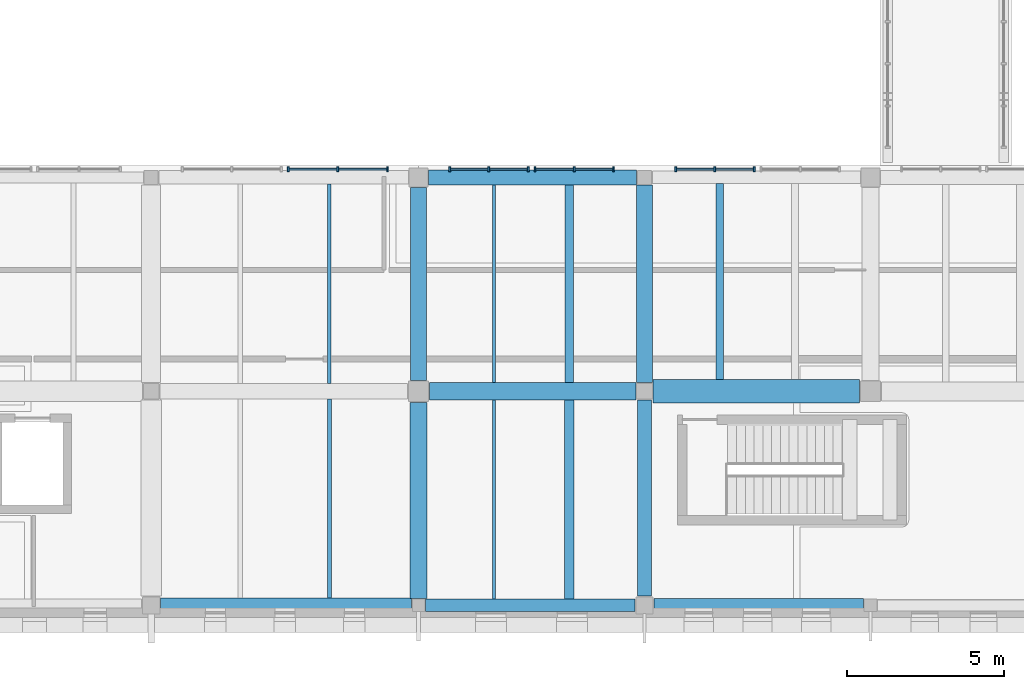
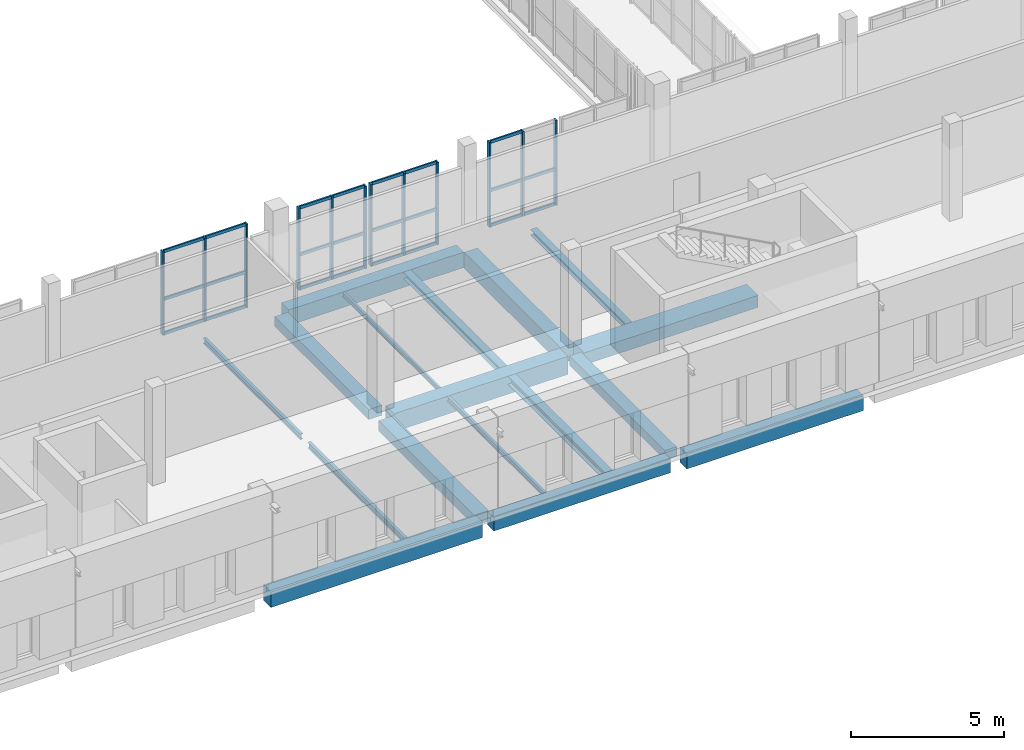
# One storey, part 29 of 76: 35 members, 17 beams, 4 elements without a shape of their own.
"""IFC4 building model written with IfcOpenShell, lengths in metres."""

from ifc_helpers import new_model, si_unit, direction, frame, origin, origin_2d, place, context, subcontext, project, spatial, rectangle, i_section, extrude, material, layer, layer_set, material_profile, profile_set, type_object, element, aggregate, save


model = new_model("IFC4")

# Units and contexts
model_context = context("Model", 3, precision=1e-05, world=origin(), true_north=direction((0.0, 1.0)))
body_context = subcontext(model_context, "Body", "Model", "MODEL_VIEW")
ifc_project = project(units=[si_unit("LENGTHUNIT", "METRE"), si_unit("AREAUNIT", "SQUARE_METRE"), si_unit("VOLUMEUNIT", "CUBIC_METRE"), si_unit("PLANEANGLEUNIT", "RADIAN"), si_unit("MASSUNIT", "GRAM", prefix="KILO")], contexts=[model_context])

# Site, building, storey
site_placement = place(None, origin())
site = spatial("IfcSite", under=ifc_project, at=site_placement, CompositionType="ELEMENT")
building_placement = place(site_placement, origin())
building = spatial("IfcBuilding", under=site, at=building_placement, Name="Vardoun Plaza Health Centre", CompositionType="ELEMENT")
storey_placement = place(building_placement, frame((0.0, 0.0, 4.5)))
storey = spatial("IfcBuildingStorey", under=building, at=storey_placement, Name="L01", CompositionType="ELEMENT", Elevation=4.5)

# Beams
ifc_material_1 = material(Name="Concrete C35/45", Category="concrete")
ifc_material_profile_1 = material_profile(ifc_material_1, rectangle(XDim=0.39990234375, YDim=0.550048828125, at=origin_2d()), Name="RC-BM 400x550")
ifc_profile_set_1 = profile_set([ifc_material_profile_1], Name="Concrete C35/45")
beam_type_1 = type_object("IfcBeamType", Name="B-09", PredefinedType="SPANDREL", material=ifc_profile_set_1)
beam_1_placement = place(storey_placement, frame((136.72509765625, 4.8798828125, -0.570068359375), z_axis=(1.0, 0.0, 0.0), x_axis=(0.0, 1.0, 0.0)))
element("IfcBeam", 1, at=beam_1_placement, inside=storey, type_object=beam_type_1, Name="V5 L01 Beam B-V5-L01-X13", PredefinedType="SPANDREL", context=body_context, shape_type="SweptSolid", body=[
    extrude(rectangle(XDim=0.39990234375, YDim=0.550048828125, at=origin_2d()), origin(), (0.0, 0.0, 1.0), 6.6748046875),
])
ifc_material_2 = material(Name="Concrete C35/45", Category="concrete")
ifc_material_profile_2 = material_profile(ifc_material_2, rectangle(XDim=0.449951171875, YDim=0.3798828125, at=origin_2d()), Name="RC-BM 450x380")
ifc_profile_set_2 = profile_set([ifc_material_profile_2], Name="Concrete C35/45")
beam_type_2 = type_object("IfcBeamType", Name="B-01", PredefinedType="BEAM", material=ifc_profile_set_2)
beam_2_placement = place(storey_placement, frame((143.699951171875, 5.179931640625, -0.485107421875), z_axis=(0.0, 1.0, 0.0), x_axis=(-1.0, 0.0, 0.0)))
element("IfcBeam", 2, at=beam_2_placement, inside=storey, type_object=beam_type_2, Name="V5 L01 Beam B-V5-L01-Y34", PredefinedType="BEAM", context=body_context, shape_type="SweptSolid", body=[
    extrude(rectangle(XDim=0.449951171875, YDim=0.3798828125, at=origin_2d()), origin(), (0.0, 0.0, 1.0), 6.2451171875),
])
ifc_material_3 = material(Name="Concrete C35/45", Category="concrete")
ifc_material_profile_3 = material_profile(ifc_material_3, rectangle(XDim=0.449951171875, YDim=0.60009765625, at=origin_2d()), Name="RC-BM 450x600")
ifc_profile_set_3 = profile_set([ifc_material_profile_3], Name="Concrete C35/45")
beam_type_3 = type_object("IfcBeamType", Name="B-11", PredefinedType="SPANDREL", material=ifc_profile_set_3)
beam_3_placement = place(storey_placement, frame((144.0, 4.8798828125, -0.594970703125), z_axis=(1.0, 0.0, 0.0), x_axis=(0.0, 1.0, 0.0)))
element("IfcBeam", 3, at=beam_3_placement, inside=storey, type_object=beam_type_3, Name="V5 L01 Beam B-V5-L01-X16", PredefinedType="SPANDREL", context=body_context, shape_type="SweptSolid", body=[
    extrude(rectangle(XDim=0.449951171875, YDim=0.60009765625, at=origin_2d()), origin(), (0.0, 0.0, 1.0), 6.675048828125),
])
ifc_material_4 = material(Name="Concrete C35/45", Category="concrete")
ifc_material_profile_4 = material_profile(ifc_material_4, rectangle(XDim=0.47998046875, YDim=0.6201171875, at=origin_2d()), Name="RC-BM 480x620")
ifc_profile_set_4 = profile_set([ifc_material_profile_4], Name="Concrete C35/45")
beam_type_4 = type_object("IfcBeamType", Name="B-12", PredefinedType="SPANDREL", material=ifc_profile_set_4)
beam_4_placement = place(storey_placement, frame((128.280029296875, 4.8798828125, -0.60498046875), z_axis=(1.0, 0.0, 0.0), x_axis=(0.0, 1.0, 0.0)))
element("IfcBeam", 4, at=beam_4_placement, inside=storey, type_object=beam_type_4, Name="V5 L01 Beam B-V5-L01-X10", PredefinedType="SPANDREL", context=body_context, shape_type="SweptSolid", body=[
    extrude(rectangle(XDim=0.47998046875, YDim=0.6201171875, at=origin_2d()), origin(), (0.0, 0.0, 1.0), 7.994873046875),
])
beam_5_placement = place(storey_placement, frame((136.824951171875, 18.52001953125, -0.60498046875), z_axis=(1.0, 0.0, 0.0), x_axis=(0.0, 1.0, 0.0)))
element("IfcBeam", 5, at=beam_5_placement, inside=storey, type_object=beam_type_4, Name="V5 L01 Beam B-V5-L01-X15", PredefinedType="SPANDREL", context=body_context, shape_type="SweptSolid", body=[
    extrude(rectangle(XDim=0.47998046875, YDim=0.6201171875, at=origin_2d()), origin(), (0.0, 0.0, 1.0), 6.625),
])
ifc_material_5 = material(Name="Concrete C35/45", Category="concrete")
ifc_material_profile_5 = material_profile(ifc_material_5, rectangle(XDim=0.5, YDim=0.39990234375, at=origin_2d()), Name="RC-BM 500x400")
ifc_profile_set_5 = profile_set([ifc_material_profile_5], Name="Concrete C35/45")
beam_type_5 = type_object("IfcBeamType", Name="B-02", PredefinedType="BEAM", material=ifc_profile_set_5)
beam_6_placement = place(storey_placement, frame((136.5, 12.050048828125, -0.4951171875), z_axis=(0.0, 1.0, 0.0), x_axis=(-1.0, 0.0, 0.0)))
element("IfcBeam", 6, at=beam_6_placement, inside=storey, type_object=beam_type_5, Name="V5 L01 Beam B-V5-L01-Y33", PredefinedType="BEAM", context=body_context, shape_type="SweptSolid", body=[
    extrude(rectangle(XDim=0.5, YDim=0.39990234375, at=origin_2d()), origin(), (0.0, 0.0, 1.0), 6.14501953125),
])
ifc_material_6 = material(Name="Concrete C40/50", Category="concrete")
ifc_material_profile_6 = material_profile(ifc_material_6, rectangle(XDim=0.5, YDim=0.64990234375, at=origin_2d()), Name="RC-BM 500x650")
ifc_profile_set_6 = profile_set([ifc_material_profile_6], Name="Concrete C40/50")
beam_type_6 = type_object("IfcBeamType", Name="B-13", PredefinedType="BEAM", material=ifc_profile_set_6)
beam_7_placement = place(storey_placement, frame((143.699951171875, 11.97509765625, -0.6201171875), z_axis=(0.0, 1.0, 0.0), x_axis=(-1.0, 0.0, 0.0)))
element("IfcBeam", 7, at=beam_7_placement, inside=storey, type_object=beam_type_6, Name="V5 L01 Beam B-V5-L01-Y35", PredefinedType="BEAM", context=body_context, shape_type="SweptSolid", body=[
    extrude(rectangle(XDim=0.5, YDim=0.64990234375, at=origin_2d()), origin(), (0.0, 0.0, 1.0), 6.294921875),
])
ifc_material_7 = material(Name="Concrete C35/45", Category="concrete")
ifc_material_profile_7 = material_profile(ifc_material_7, rectangle(XDim=0.550048828125, YDim=0.419921875, at=origin_2d()), Name="RC-BM 550x420")
ifc_profile_set_7 = profile_set([ifc_material_profile_7], Name="Concrete C35/45")
beam_type_7 = type_object("IfcBeamType", Name="B-03", PredefinedType="BEAM", material=ifc_profile_set_7)
beam_8_placement = place(storey_placement, frame((136.5, 5.10498046875, -0.5048828125), z_axis=(0.0, 1.0, 0.0), x_axis=(-1.0, 0.0, 0.0)))
element("IfcBeam", 8, at=beam_8_placement, inside=storey, type_object=beam_type_7, Name="V5 L01 Beam B-V5-L01-Y32", PredefinedType="BEAM", context=body_context, shape_type="SweptSolid", body=[
    extrude(rectangle(XDim=0.550048828125, YDim=0.419921875, at=origin_2d()), origin(), (0.0, 0.0, 1.0), 6.2451171875),
])
ifc_material_8 = material(Name="Concrete C40/50", Category="concrete")
ifc_material_profile_8 = material_profile(ifc_material_8, rectangle(XDim=0.550048828125, YDim=0.719970703125, at=origin_2d()), Name="RC-BM 550x720")
ifc_profile_set_8 = profile_set([ifc_material_profile_8], Name="Concrete C40/50")
beam_type_8 = type_object("IfcBeamType", Name="B-14", PredefinedType="BEAM", material=ifc_profile_set_8)
beam_9_placement = place(storey_placement, frame((136.85009765625, 11.699951171875, -0.655029296875), z_axis=(1.0, 0.0, 0.0), x_axis=(0.0, 1.0, 0.0)))
element("IfcBeam", 9, at=beam_9_placement, inside=storey, type_object=beam_type_8, Name="V5 L01 Beam B-V5-L01-X14", PredefinedType="BEAM", context=body_context, shape_type="SweptSolid", body=[
    extrude(rectangle(XDim=0.550048828125, YDim=0.719970703125, at=origin_2d()), origin(), (0.0, 0.0, 1.0), 6.574951171875),
])
ifc_material_9 = material(Name="Concrete C35/45", Category="concrete")
ifc_material_profile_9 = material_profile(ifc_material_9, rectangle(XDim=0.75, YDim=0.47998046875, at=origin_2d()), Name="RC-BM 750x480")
ifc_profile_set_9 = profile_set([ifc_material_profile_9], Name="Concrete C35/45")
beam_type_9 = type_object("IfcBeamType", Name="B-07", PredefinedType="BEAM", material=ifc_profile_set_9)
beam_10_placement = place(storey_placement, frame((143.97509765625, 11.699951171875, -0.534912109375), z_axis=(1.0, 0.0, 0.0), x_axis=(0.0, 1.0, 0.0)))
element("IfcBeam", 10, at=beam_10_placement, inside=storey, type_object=beam_type_9, Name="V5 L01 Beam B-V5-L01-X17", PredefinedType="BEAM", context=body_context, shape_type="SweptSolid", body=[
    extrude(rectangle(XDim=0.75, YDim=0.47998046875, at=origin_2d()), origin(), (0.0, 0.0, 1.0), 6.574951171875),
])
ifc_material_10 = material(Name="Steel S355J2", Category="steel")
ifc_material_profile_10 = material_profile(ifc_material_10, i_section(OverallWidth=0.239990234375, OverallDepth=0.22998046875, WebThickness=0.007568359375, FlangeThickness=0.011962890625, FilletRadius=0.02099609375, at=origin_2d()), Name="HEA 240")
ifc_profile_set_10 = profile_set([ifc_material_profile_10], Name="Steel S355J2")
beam_type_10 = type_object("IfcBeamType", Name="SB-07", PredefinedType="BEAM", material=ifc_profile_set_10)
beam_11_placement = place(storey_placement, frame((146.099853515625, 12.074951171875, -0.409912109375), z_axis=(0.0, 1.0, 0.0), x_axis=(-1.0, 0.0, 0.0)))
element("IfcBeam", 11, at=beam_11_placement, inside=storey, type_object=beam_type_10, Name="V5 L01 Secondary Floor Beam SJ-V5-L01-17", PredefinedType="BEAM", context=body_context, shape_type="SweptSolid", body=[
    extrude(i_section(OverallWidth=0.239990234375, OverallDepth=0.22998046875, WebThickness=0.007568359375, FlangeThickness=0.011962890625, FilletRadius=0.02099609375, at=origin_2d()), origin(), (0.0, 0.0, 1.0), 6.2451171875),
])
ifc_material_11 = material(Name="Steel S355J2", Category="steel")
ifc_material_profile_11 = material_profile(ifc_material_11, i_section(OverallWidth=0.280029296875, OverallDepth=0.27001953125, WebThickness=0.008056640625, FlangeThickness=0.012939453125, FilletRadius=0.02392578125, at=origin_2d()), Name="HEA 280")
ifc_profile_set_11 = profile_set([ifc_material_profile_11], Name="Steel S355J2")
beam_type_11 = type_object("IfcBeamType", Name="SB-06", PredefinedType="BEAM", material=ifc_profile_set_11)
beam_12_placement = place(storey_placement, frame((141.30029296875, 11.97509765625, -0.429931640625), z_axis=(0.0, 1.0, 0.0), x_axis=(-1.0, 0.0, 0.0)))
element("IfcBeam", 12, at=beam_12_placement, inside=storey, type_object=beam_type_11, Name="V5 L01 Secondary Floor Beam SJ-V5-L01-16", PredefinedType="BEAM", context=body_context, shape_type="SweptSolid", body=[
    extrude(i_section(OverallWidth=0.280029296875, OverallDepth=0.27001953125, WebThickness=0.008056640625, FlangeThickness=0.012939453125, FilletRadius=0.02392578125, at=origin_2d()), origin(), (0.0, 0.0, 1.0), 6.304931640625),
])
ifc_material_12 = material(Name="Steel S355J2", Category="steel")
ifc_material_profile_12 = material_profile(ifc_material_12, i_section(OverallWidth=0.300048828125, OverallDepth=0.330078125, WebThickness=0.009521484375, FlangeThickness=0.0166015625, FilletRadius=0.027099609375, at=origin_2d()), Name="HEA 340")
ifc_profile_set_12 = profile_set([ifc_material_profile_12], Name="Steel S355J2")
beam_type_12 = type_object("IfcBeamType", Name="SB-04", PredefinedType="BEAM", material=ifc_profile_set_12)
beam_13_placement = place(storey_placement, frame((141.30029296875, 5.080078125, -0.4599609375), z_axis=(0.0, 1.0, 0.0), x_axis=(-1.0, 0.0, 0.0)))
element("IfcBeam", 13, at=beam_13_placement, inside=storey, type_object=beam_type_12, Name="V5 L01 Secondary Floor Beam SJ-V5-L01-15", PredefinedType="BEAM", context=body_context, shape_type="SweptSolid", body=[
    extrude(i_section(OverallWidth=0.300048828125, OverallDepth=0.330078125, WebThickness=0.009521484375, FlangeThickness=0.0166015625, FilletRadius=0.027099609375, at=origin_2d()), origin(), (0.0, 0.0, 1.0), 6.344970703125),
])
ifc_material_13 = material(Name="Steel S355J2", Category="steel")
ifc_material_profile_13 = material_profile(ifc_material_13, i_section(OverallWidth=0.091064453125, OverallDepth=0.179931640625, WebThickness=0.00537109375, FlangeThickness=0.008056640625, FilletRadius=0.009033203125, at=origin_2d()), Name="IPE 180")
ifc_profile_set_13 = profile_set([ifc_material_profile_13], Name="Steel S355J2")
beam_type_13 = type_object("IfcBeamType", Name="SB-20", PredefinedType="SPANDREL", material=ifc_profile_set_13)
beam_14_placement = place(storey_placement, frame((138.89990234375, 11.97509765625, -0.385009765625), z_axis=(0.0, 1.0, 0.0), x_axis=(-1.0, 0.0, 0.0)))
element("IfcBeam", 14, at=beam_14_placement, inside=storey, type_object=beam_type_13, Name="V5 L01 Secondary Floor Beam SJ-V5-L01-14", PredefinedType="SPANDREL", context=body_context, shape_type="SweptSolid", body=[
    extrude(i_section(OverallWidth=0.091064453125, OverallDepth=0.179931640625, WebThickness=0.00537109375, FlangeThickness=0.008056640625, FilletRadius=0.009033203125, at=origin_2d()), origin(), (0.0, 0.0, 1.0), 6.304931640625),
])
ifc_material_14 = material(Name="Steel S355J2", Category="steel")
ifc_material_profile_14 = material_profile(ifc_material_14, i_section(OverallWidth=0.10009765625, OverallDepth=0.199951171875, WebThickness=0.005615234375, FlangeThickness=0.008544921875, FilletRadius=0.011962890625, at=origin_2d()), Name="IPE 200")
ifc_profile_set_14 = profile_set([ifc_material_profile_14], Name="Steel S355J2")
beam_type_14 = type_object("IfcBeamType", Name="SB-19", PredefinedType="SPANDREL", material=ifc_profile_set_14)
beam_15_placement = place(storey_placement, frame((138.89990234375, 5.080078125, -0.39501953125), z_axis=(0.0, 1.0, 0.0), x_axis=(-1.0, 0.0, 0.0)))
element("IfcBeam", 15, at=beam_15_placement, inside=storey, type_object=beam_type_14, Name="V5 L01 Secondary Floor Beam SJ-V5-L01-13", PredefinedType="SPANDREL", context=body_context, shape_type="SweptSolid", body=[
    extrude(i_section(OverallWidth=0.10009765625, OverallDepth=0.199951171875, WebThickness=0.005615234375, FlangeThickness=0.008544921875, FilletRadius=0.011962890625, at=origin_2d()), origin(), (0.0, 0.0, 1.0), 6.344970703125),
])
ifc_material_15 = material(Name="Steel S355J2", Category="steel")
ifc_material_profile_15 = material_profile(ifc_material_15, i_section(OverallWidth=0.110107421875, OverallDepth=0.219970703125, WebThickness=0.005859375, FlangeThickness=0.00927734375, FilletRadius=0.011962890625, at=origin_2d()), Name="IPE 220")
ifc_profile_set_15 = profile_set([ifc_material_profile_15], Name="Steel S355J2")
beam_type_15 = type_object("IfcBeamType", Name="SB-18", PredefinedType="JOIST", material=ifc_profile_set_15)
beam_16_placement = place(storey_placement, frame((133.660400390625, 11.949951171875, -0.405029296875), z_axis=(0.0, 1.0, 0.0), x_axis=(-1.0, 0.0, 0.0)))
element("IfcBeam", 16, at=beam_16_placement, inside=storey, type_object=beam_type_15, Name="V5 L01 Secondary Floor Beam SJ-V5-L01-12", PredefinedType="JOIST", context=body_context, shape_type="SweptSolid", body=[
    extrude(i_section(OverallWidth=0.110107421875, OverallDepth=0.219970703125, WebThickness=0.005859375, FlangeThickness=0.00927734375, FilletRadius=0.011962890625, at=origin_2d()), origin(), (0.0, 0.0, 1.0), 6.360107421875),
])
ifc_material_16 = material(Name="Steel S355J2", Category="steel")
ifc_material_profile_16 = material_profile(ifc_material_16, i_section(OverallWidth=0.1201171875, OverallDepth=0.239990234375, WebThickness=0.006103515625, FlangeThickness=0.009765625, FilletRadius=0.014892578125, at=origin_2d()), Name="IPE 240")
ifc_profile_set_16 = profile_set([ifc_material_profile_16], Name="Steel S355J2")
beam_type_16 = type_object("IfcBeamType", Name="SB-17", PredefinedType="JOIST", material=ifc_profile_set_16)
beam_17_placement = place(storey_placement, frame((133.660400390625, 5.1201171875, -0.4150390625), z_axis=(0.0, 1.0, 0.0), x_axis=(-1.0, 0.0, 0.0)))
element("IfcBeam", 17, at=beam_17_placement, inside=storey, type_object=beam_type_16, Name="V5 L01 Secondary Floor Beam SJ-V5-L01-11", PredefinedType="JOIST", context=body_context, shape_type="SweptSolid", body=[
    extrude(i_section(OverallWidth=0.1201171875, OverallDepth=0.239990234375, WebThickness=0.006103515625, FlangeThickness=0.009765625, FilletRadius=0.014892578125, at=origin_2d()), origin(), (0.0, 0.0, 1.0), 6.329833984375),
])

# Curtain wall, members
ifc_material_17 = material(Name="Aluminium Alloy EN AW-6063-T6 and Low-E Glass", Category="aluminium")
ifc_layer = layer(ifc_material_17, 0.14990234375)
ifc_layer_set = layer_set([ifc_layer], Name="Aluminium Alloy EN AW-6063-T6 and Low-E Glass")
curtain_wall_type = type_object("IfcCurtainWallType", Name="CW-03", PredefinedType="NOTDEFINED", material=ifc_layer_set)
curtain_wall_1_placement = place(storey_placement, origin())
curtain_wall_1 = element("IfcCurtainWall", 18, at=curtain_wall_1_placement, inside=storey, type_object=curtain_wall_type, Name="Curtain Wall CW-V5-156", PredefinedType="NOTDEFINED")
ifc_material_18 = material(Name="Aluminium Alloy EN AW-6063-T6", Category="aluminium")
ifc_material_profile_17 = material_profile(ifc_material_18, rectangle(XDim=0.159912109375, YDim=0.06005859375, at=origin_2d()), Name="CWM 60x160")
ifc_profile_set_17 = profile_set([ifc_material_profile_17], Name="Aluminium Alloy EN AW-6063-T6")
member_type_1 = type_object("IfcMemberType", Name="CW-M1", PredefinedType="MULLION", material=ifc_profile_set_17)
member_1_placement = place(storey_placement, frame((132.35009765625, 18.780029296875, 0.0), z_axis=(0.0, 0.0, 1.0), x_axis=(0.0, 1.0, 0.0)))
member_1 = element("IfcMember", 19, at=member_1_placement, type_object=member_type_1, Name="CW-V5-156 mullion 1", PredefinedType="MULLION", context=body_context, shape_type="SweptSolid", body=[
    extrude(rectangle(XDim=0.159912109375, YDim=0.06005859375, at=origin_2d()), origin(), (0.0, 0.0, 1.0), 3.340087890625),
])
member_2_placement = place(storey_placement, frame((133.929931640625, 18.780029296875, 0.0), z_axis=(0.0, 0.0, 1.0), x_axis=(0.0, 1.0, 0.0)))
member_2 = element("IfcMember", 20, at=member_2_placement, type_object=member_type_1, Name="CW-V5-156 mullion 2", PredefinedType="MULLION", context=body_context, shape_type="SweptSolid", body=[
    extrude(rectangle(XDim=0.159912109375, YDim=0.06005859375, at=origin_2d()), origin(), (0.0, 0.0, 1.0), 3.340087890625),
])
member_3_placement = place(storey_placement, frame((135.510009765625, 18.780029296875, 0.0), z_axis=(0.0, 0.0, 1.0), x_axis=(0.0, 1.0, 0.0)))
member_3 = element("IfcMember", 21, at=member_3_placement, type_object=member_type_1, Name="CW-V5-156 mullion 3", PredefinedType="MULLION", context=body_context, shape_type="SweptSolid", body=[
    extrude(rectangle(XDim=0.159912109375, YDim=0.06005859375, at=origin_2d()), origin(), (0.0, 0.0, 1.0), 3.340087890625),
])

curtain_wall_2_placement = place(storey_placement, origin())
curtain_wall_2 = element("IfcCurtainWall", 22, at=curtain_wall_2_placement, inside=storey, type_object=curtain_wall_type, Name="Curtain Wall CW-V5-157", PredefinedType="NOTDEFINED")
member_4_placement = place(storey_placement, frame((137.489990234375, 18.780029296875, 0.0), z_axis=(0.0, 0.0, 1.0), x_axis=(0.0, 1.0, 0.0)))
member_4 = element("IfcMember", 23, at=member_4_placement, type_object=member_type_1, Name="CW-V5-157 mullion 1", PredefinedType="MULLION", context=body_context, shape_type="SweptSolid", body=[
    extrude(rectangle(XDim=0.159912109375, YDim=0.06005859375, at=origin_2d()), origin(), (0.0, 0.0, 1.0), 3.2900390625),
])
member_5_placement = place(storey_placement, frame((138.739990234375, 18.780029296875, 0.0), z_axis=(0.0, 0.0, 1.0), x_axis=(0.0, 1.0, 0.0)))
member_5 = element("IfcMember", 24, at=member_5_placement, type_object=member_type_1, Name="CW-V5-157 mullion 2", PredefinedType="MULLION", context=body_context, shape_type="SweptSolid", body=[
    extrude(rectangle(XDim=0.159912109375, YDim=0.06005859375, at=origin_2d()), origin(), (0.0, 0.0, 1.0), 3.2900390625),
])
member_6_placement = place(storey_placement, frame((139.989990234375, 18.780029296875, 0.0), z_axis=(0.0, 0.0, 1.0), x_axis=(0.0, 1.0, 0.0)))
member_6 = element("IfcMember", 25, at=member_6_placement, type_object=member_type_1, Name="CW-V5-157 mullion 3", PredefinedType="MULLION", context=body_context, shape_type="SweptSolid", body=[
    extrude(rectangle(XDim=0.159912109375, YDim=0.06005859375, at=origin_2d()), origin(), (0.0, 0.0, 1.0), 3.2900390625),
])

curtain_wall_3_placement = place(storey_placement, origin())
curtain_wall_3 = element("IfcCurtainWall", 26, at=curtain_wall_3_placement, inside=storey, type_object=curtain_wall_type, Name="Curtain Wall CW-V5-158", PredefinedType="NOTDEFINED")
member_7_placement = place(storey_placement, frame((140.2099609375, 18.780029296875, 0.0), z_axis=(0.0, 0.0, 1.0), x_axis=(0.0, 1.0, 0.0)))
member_7 = element("IfcMember", 27, at=member_7_placement, type_object=member_type_1, Name="CW-V5-158 mullion 1", PredefinedType="MULLION", context=body_context, shape_type="SweptSolid", body=[
    extrude(rectangle(XDim=0.159912109375, YDim=0.06005859375, at=origin_2d()), origin(), (0.0, 0.0, 1.0), 3.2900390625),
])
member_8_placement = place(storey_placement, frame((141.4599609375, 18.780029296875, 0.0), z_axis=(0.0, 0.0, 1.0), x_axis=(0.0, 1.0, 0.0)))
member_8 = element("IfcMember", 28, at=member_8_placement, type_object=member_type_1, Name="CW-V5-158 mullion 2", PredefinedType="MULLION", context=body_context, shape_type="SweptSolid", body=[
    extrude(rectangle(XDim=0.159912109375, YDim=0.06005859375, at=origin_2d()), origin(), (0.0, 0.0, 1.0), 3.2900390625),
])
member_9_placement = place(storey_placement, frame((142.7099609375, 18.780029296875, 0.0), z_axis=(0.0, 0.0, 1.0), x_axis=(0.0, 1.0, 0.0)))
member_9 = element("IfcMember", 29, at=member_9_placement, type_object=member_type_1, Name="CW-V5-158 mullion 3", PredefinedType="MULLION", context=body_context, shape_type="SweptSolid", body=[
    extrude(rectangle(XDim=0.159912109375, YDim=0.06005859375, at=origin_2d()), origin(), (0.0, 0.0, 1.0), 3.2900390625),
])

curtain_wall_4_placement = place(storey_placement, origin())
curtain_wall_4 = element("IfcCurtainWall", 30, at=curtain_wall_4_placement, inside=storey, type_object=curtain_wall_type, Name="Curtain Wall CW-V5-159", PredefinedType="NOTDEFINED")
member_10_placement = place(storey_placement, frame((144.690185546875, 18.780029296875, 0.0), z_axis=(0.0, 0.0, 1.0), x_axis=(0.0, 1.0, 0.0)))
member_10 = element("IfcMember", 31, at=member_10_placement, type_object=member_type_1, Name="CW-V5-159 mullion 1", PredefinedType="MULLION", context=body_context, shape_type="SweptSolid", body=[
    extrude(rectangle(XDim=0.159912109375, YDim=0.06005859375, at=origin_2d()), origin(), (0.0, 0.0, 1.0), 3.389892578125),
])
member_11_placement = place(storey_placement, frame((145.940185546875, 18.780029296875, 0.0), z_axis=(0.0, 0.0, 1.0), x_axis=(0.0, 1.0, 0.0)))
member_11 = element("IfcMember", 32, at=member_11_placement, type_object=member_type_1, Name="CW-V5-159 mullion 2", PredefinedType="MULLION", context=body_context, shape_type="SweptSolid", body=[
    extrude(rectangle(XDim=0.159912109375, YDim=0.06005859375, at=origin_2d()), origin(), (0.0, 0.0, 1.0), 3.389892578125),
])
member_12_placement = place(storey_placement, frame((147.190185546875, 18.780029296875, 0.0), z_axis=(0.0, 0.0, 1.0), x_axis=(0.0, 1.0, 0.0)))
member_12 = element("IfcMember", 33, at=member_12_placement, type_object=member_type_1, Name="CW-V5-159 mullion 3", PredefinedType="MULLION", context=body_context, shape_type="SweptSolid", body=[
    extrude(rectangle(XDim=0.159912109375, YDim=0.06005859375, at=origin_2d()), origin(), (0.0, 0.0, 1.0), 3.389892578125),
])

# Member
ifc_material_19 = material(Name="Aluminium Alloy EN AW-6063-T6", Category="aluminium")
ifc_material_profile_18 = material_profile(ifc_material_19, rectangle(XDim=0.06005859375, YDim=0.1201171875, at=origin_2d()), Name="CWT 60x120")
ifc_profile_set_18 = profile_set([ifc_material_profile_18], Name="Aluminium Alloy EN AW-6063-T6")
member_type_2 = type_object("IfcMemberType", Name="CW-T1", PredefinedType="USERDEFINED", material=ifc_profile_set_18)
member_13_placement = place(storey_placement, frame((132.3798828125, 18.780029296875, 0.030029296875), z_axis=(1.0, 0.0, 0.0), x_axis=(0.0, 1.0, 0.0)))
member_13 = element("IfcMember", 34, at=member_13_placement, type_object=member_type_2, Name="CW-V5-156 transom 1.1", ObjectType="TRANSOM", PredefinedType="USERDEFINED", context=body_context, shape_type="SweptSolid", body=[
    extrude(rectangle(XDim=0.06005859375, YDim=0.1201171875, at=origin_2d()), origin(), (0.0, 0.0, 1.0), 1.52001953125),
])

member_14_placement = place(storey_placement, frame((132.3798828125, 18.780029296875, 1.40283203125), z_axis=(1.0, 0.0, 0.0), x_axis=(0.0, 1.0, 0.0)))
member_14 = element("IfcMember", 35, at=member_14_placement, type_object=member_type_2, Name="CW-V5-156 transom 1.2", ObjectType="TRANSOM", PredefinedType="USERDEFINED", context=body_context, shape_type="SweptSolid", body=[
    extrude(rectangle(XDim=0.06005859375, YDim=0.1201171875, at=origin_2d()), origin(), (0.0, 0.0, 1.0), 1.52001953125),
])

member_15_placement = place(storey_placement, frame((132.3798828125, 18.780029296875, 3.31005859375), z_axis=(1.0, 0.0, 0.0), x_axis=(0.0, 1.0, 0.0)))
member_15 = element("IfcMember", 36, at=member_15_placement, type_object=member_type_2, Name="CW-V5-156 transom 1.3", ObjectType="TRANSOM", PredefinedType="USERDEFINED", context=body_context, shape_type="SweptSolid", body=[
    extrude(rectangle(XDim=0.06005859375, YDim=0.1201171875, at=origin_2d()), origin(), (0.0, 0.0, 1.0), 1.52001953125),
])

member_16_placement = place(storey_placement, frame((133.9599609375, 18.780029296875, 0.030029296875), z_axis=(1.0, 0.0, 0.0), x_axis=(0.0, 1.0, 0.0)))
member_16 = element("IfcMember", 37, at=member_16_placement, type_object=member_type_2, Name="CW-V5-156 transom 2.1", ObjectType="TRANSOM", PredefinedType="USERDEFINED", context=body_context, shape_type="SweptSolid", body=[
    extrude(rectangle(XDim=0.06005859375, YDim=0.1201171875, at=origin_2d()), origin(), (0.0, 0.0, 1.0), 1.52001953125),
])

member_17_placement = place(storey_placement, frame((133.9599609375, 18.780029296875, 1.40283203125), z_axis=(1.0, 0.0, 0.0), x_axis=(0.0, 1.0, 0.0)))
member_17 = element("IfcMember", 38, at=member_17_placement, type_object=member_type_2, Name="CW-V5-156 transom 2.2", ObjectType="TRANSOM", PredefinedType="USERDEFINED", context=body_context, shape_type="SweptSolid", body=[
    extrude(rectangle(XDim=0.06005859375, YDim=0.1201171875, at=origin_2d()), origin(), (0.0, 0.0, 1.0), 1.52001953125),
])

member_18_placement = place(storey_placement, frame((133.9599609375, 18.780029296875, 3.31005859375), z_axis=(1.0, 0.0, 0.0), x_axis=(0.0, 1.0, 0.0)))
member_18 = element("IfcMember", 39, at=member_18_placement, type_object=member_type_2, Name="CW-V5-156 transom 2.3", ObjectType="TRANSOM", PredefinedType="USERDEFINED", context=body_context, shape_type="SweptSolid", body=[
    extrude(rectangle(XDim=0.06005859375, YDim=0.1201171875, at=origin_2d()), origin(), (0.0, 0.0, 1.0), 1.52001953125),
])

aggregate(curtain_wall_1, [member_1, member_2, member_3, member_13, member_14, member_15, member_16, member_17, member_18])

member_19_placement = place(storey_placement, frame((137.52001953125, 18.780029296875, 0.030029296875), z_axis=(1.0, 0.0, 0.0), x_axis=(0.0, 1.0, 0.0)))
member_19 = element("IfcMember", 40, at=member_19_placement, type_object=member_type_2, Name="CW-V5-157 transom 1.1", ObjectType="TRANSOM", PredefinedType="USERDEFINED", context=body_context, shape_type="SweptSolid", body=[
    extrude(rectangle(XDim=0.06005859375, YDim=0.1201171875, at=origin_2d()), origin(), (0.0, 0.0, 1.0), 1.18994140625),
])

member_20_placement = place(storey_placement, frame((137.52001953125, 18.780029296875, 1.3818359375), z_axis=(1.0, 0.0, 0.0), x_axis=(0.0, 1.0, 0.0)))
member_20 = element("IfcMember", 41, at=member_20_placement, type_object=member_type_2, Name="CW-V5-157 transom 1.2", ObjectType="TRANSOM", PredefinedType="USERDEFINED", context=body_context, shape_type="SweptSolid", body=[
    extrude(rectangle(XDim=0.06005859375, YDim=0.1201171875, at=origin_2d()), origin(), (0.0, 0.0, 1.0), 1.18994140625),
])

member_21_placement = place(storey_placement, frame((137.52001953125, 18.780029296875, 3.260009765625), z_axis=(1.0, 0.0, 0.0), x_axis=(0.0, 1.0, 0.0)))
member_21 = element("IfcMember", 42, at=member_21_placement, type_object=member_type_2, Name="CW-V5-157 transom 1.3", ObjectType="TRANSOM", PredefinedType="USERDEFINED", context=body_context, shape_type="SweptSolid", body=[
    extrude(rectangle(XDim=0.06005859375, YDim=0.1201171875, at=origin_2d()), origin(), (0.0, 0.0, 1.0), 1.18994140625),
])

member_22_placement = place(storey_placement, frame((138.77001953125, 18.780029296875, 0.030029296875), z_axis=(1.0, 0.0, 0.0), x_axis=(0.0, 1.0, 0.0)))
member_22 = element("IfcMember", 43, at=member_22_placement, type_object=member_type_2, Name="CW-V5-157 transom 2.1", ObjectType="TRANSOM", PredefinedType="USERDEFINED", context=body_context, shape_type="SweptSolid", body=[
    extrude(rectangle(XDim=0.06005859375, YDim=0.1201171875, at=origin_2d()), origin(), (0.0, 0.0, 1.0), 1.18994140625),
])

member_23_placement = place(storey_placement, frame((138.77001953125, 18.780029296875, 1.3818359375), z_axis=(1.0, 0.0, 0.0), x_axis=(0.0, 1.0, 0.0)))
member_23 = element("IfcMember", 44, at=member_23_placement, type_object=member_type_2, Name="CW-V5-157 transom 2.2", ObjectType="TRANSOM", PredefinedType="USERDEFINED", context=body_context, shape_type="SweptSolid", body=[
    extrude(rectangle(XDim=0.06005859375, YDim=0.1201171875, at=origin_2d()), origin(), (0.0, 0.0, 1.0), 1.18994140625),
])

member_24_placement = place(storey_placement, frame((138.77001953125, 18.780029296875, 3.260009765625), z_axis=(1.0, 0.0, 0.0), x_axis=(0.0, 1.0, 0.0)))
member_24 = element("IfcMember", 45, at=member_24_placement, type_object=member_type_2, Name="CW-V5-157 transom 2.3", ObjectType="TRANSOM", PredefinedType="USERDEFINED", context=body_context, shape_type="SweptSolid", body=[
    extrude(rectangle(XDim=0.06005859375, YDim=0.1201171875, at=origin_2d()), origin(), (0.0, 0.0, 1.0), 1.18994140625),
])

aggregate(curtain_wall_2, [member_4, member_5, member_6, member_19, member_20, member_21, member_22, member_23, member_24])

member_25_placement = place(storey_placement, frame((140.239990234375, 18.780029296875, 0.030029296875), z_axis=(1.0, 0.0, 0.0), x_axis=(0.0, 1.0, 0.0)))
member_25 = element("IfcMember", 46, at=member_25_placement, type_object=member_type_2, Name="CW-V5-158 transom 1.1", ObjectType="TRANSOM", PredefinedType="USERDEFINED", context=body_context, shape_type="SweptSolid", body=[
    extrude(rectangle(XDim=0.06005859375, YDim=0.1201171875, at=origin_2d()), origin(), (0.0, 0.0, 1.0), 1.18994140625),
])

member_26_placement = place(storey_placement, frame((140.239990234375, 18.780029296875, 1.3818359375), z_axis=(1.0, 0.0, 0.0), x_axis=(0.0, 1.0, 0.0)))
member_26 = element("IfcMember", 47, at=member_26_placement, type_object=member_type_2, Name="CW-V5-158 transom 1.2", ObjectType="TRANSOM", PredefinedType="USERDEFINED", context=body_context, shape_type="SweptSolid", body=[
    extrude(rectangle(XDim=0.06005859375, YDim=0.1201171875, at=origin_2d()), origin(), (0.0, 0.0, 1.0), 1.18994140625),
])

member_27_placement = place(storey_placement, frame((140.239990234375, 18.780029296875, 3.260009765625), z_axis=(1.0, 0.0, 0.0), x_axis=(0.0, 1.0, 0.0)))
member_27 = element("IfcMember", 48, at=member_27_placement, type_object=member_type_2, Name="CW-V5-158 transom 1.3", ObjectType="TRANSOM", PredefinedType="USERDEFINED", context=body_context, shape_type="SweptSolid", body=[
    extrude(rectangle(XDim=0.06005859375, YDim=0.1201171875, at=origin_2d()), origin(), (0.0, 0.0, 1.0), 1.18994140625),
])

member_28_placement = place(storey_placement, frame((141.489990234375, 18.780029296875, 0.030029296875), z_axis=(1.0, 0.0, 0.0), x_axis=(0.0, 1.0, 0.0)))
member_28 = element("IfcMember", 49, at=member_28_placement, type_object=member_type_2, Name="CW-V5-158 transom 2.1", ObjectType="TRANSOM", PredefinedType="USERDEFINED", context=body_context, shape_type="SweptSolid", body=[
    extrude(rectangle(XDim=0.06005859375, YDim=0.1201171875, at=origin_2d()), origin(), (0.0, 0.0, 1.0), 1.18994140625),
])

member_29_placement = place(storey_placement, frame((141.489990234375, 18.780029296875, 1.3818359375), z_axis=(1.0, 0.0, 0.0), x_axis=(0.0, 1.0, 0.0)))
member_29 = element("IfcMember", 50, at=member_29_placement, type_object=member_type_2, Name="CW-V5-158 transom 2.2", ObjectType="TRANSOM", PredefinedType="USERDEFINED", context=body_context, shape_type="SweptSolid", body=[
    extrude(rectangle(XDim=0.06005859375, YDim=0.1201171875, at=origin_2d()), origin(), (0.0, 0.0, 1.0), 1.18994140625),
])

member_30_placement = place(storey_placement, frame((141.489990234375, 18.780029296875, 3.260009765625), z_axis=(1.0, 0.0, 0.0), x_axis=(0.0, 1.0, 0.0)))
member_30 = element("IfcMember", 51, at=member_30_placement, type_object=member_type_2, Name="CW-V5-158 transom 2.3", ObjectType="TRANSOM", PredefinedType="USERDEFINED", context=body_context, shape_type="SweptSolid", body=[
    extrude(rectangle(XDim=0.06005859375, YDim=0.1201171875, at=origin_2d()), origin(), (0.0, 0.0, 1.0), 1.18994140625),
])

aggregate(curtain_wall_3, [member_7, member_8, member_9, member_25, member_26, member_27, member_28, member_29, member_30])

member_31_placement = place(storey_placement, frame((144.719970703125, 18.780029296875, 0.030029296875), z_axis=(1.0, 0.0, 0.0), x_axis=(0.0, 1.0, 0.0)))
member_31 = element("IfcMember", 52, at=member_31_placement, type_object=member_type_2, Name="CW-V5-159 transom 1.1", ObjectType="TRANSOM", PredefinedType="USERDEFINED", context=body_context, shape_type="SweptSolid", body=[
    extrude(rectangle(XDim=0.06005859375, YDim=0.1201171875, at=origin_2d()), origin(), (0.0, 0.0, 1.0), 1.18994140625),
])

member_32_placement = place(storey_placement, frame((144.719970703125, 18.780029296875, 1.423828125), z_axis=(1.0, 0.0, 0.0), x_axis=(0.0, 1.0, 0.0)))
member_32 = element("IfcMember", 53, at=member_32_placement, type_object=member_type_2, Name="CW-V5-159 transom 1.2", ObjectType="TRANSOM", PredefinedType="USERDEFINED", context=body_context, shape_type="SweptSolid", body=[
    extrude(rectangle(XDim=0.06005859375, YDim=0.1201171875, at=origin_2d()), origin(), (0.0, 0.0, 1.0), 1.18994140625),
])

member_33_placement = place(storey_placement, frame((144.719970703125, 18.780029296875, 3.360107421875), z_axis=(1.0, 0.0, 0.0), x_axis=(0.0, 1.0, 0.0)))
member_33 = element("IfcMember", 54, at=member_33_placement, type_object=member_type_2, Name="CW-V5-159 transom 1.3", ObjectType="TRANSOM", PredefinedType="USERDEFINED", context=body_context, shape_type="SweptSolid", body=[
    extrude(rectangle(XDim=0.06005859375, YDim=0.1201171875, at=origin_2d()), origin(), (0.0, 0.0, 1.0), 1.18994140625),
])

member_34_placement = place(storey_placement, frame((145.969970703125, 18.780029296875, 0.030029296875), z_axis=(1.0, 0.0, 0.0), x_axis=(0.0, 1.0, 0.0)))
member_34 = element("IfcMember", 55, at=member_34_placement, type_object=member_type_2, Name="CW-V5-159 transom 2.1", ObjectType="TRANSOM", PredefinedType="USERDEFINED", context=body_context, shape_type="SweptSolid", body=[
    extrude(rectangle(XDim=0.06005859375, YDim=0.1201171875, at=origin_2d()), origin(), (0.0, 0.0, 1.0), 1.18994140625),
])

member_35_placement = place(storey_placement, frame((145.969970703125, 18.780029296875, 1.423828125), z_axis=(1.0, 0.0, 0.0), x_axis=(0.0, 1.0, 0.0)))
member_35 = element("IfcMember", 56, at=member_35_placement, type_object=member_type_2, Name="CW-V5-159 transom 2.2", ObjectType="TRANSOM", PredefinedType="USERDEFINED", context=body_context, shape_type="SweptSolid", body=[
    extrude(rectangle(XDim=0.06005859375, YDim=0.1201171875, at=origin_2d()), origin(), (0.0, 0.0, 1.0), 1.18994140625),
])

aggregate(curtain_wall_4, [member_10, member_11, member_12, member_31, member_32, member_33, member_34, member_35])

save(model, "model.ifc")
